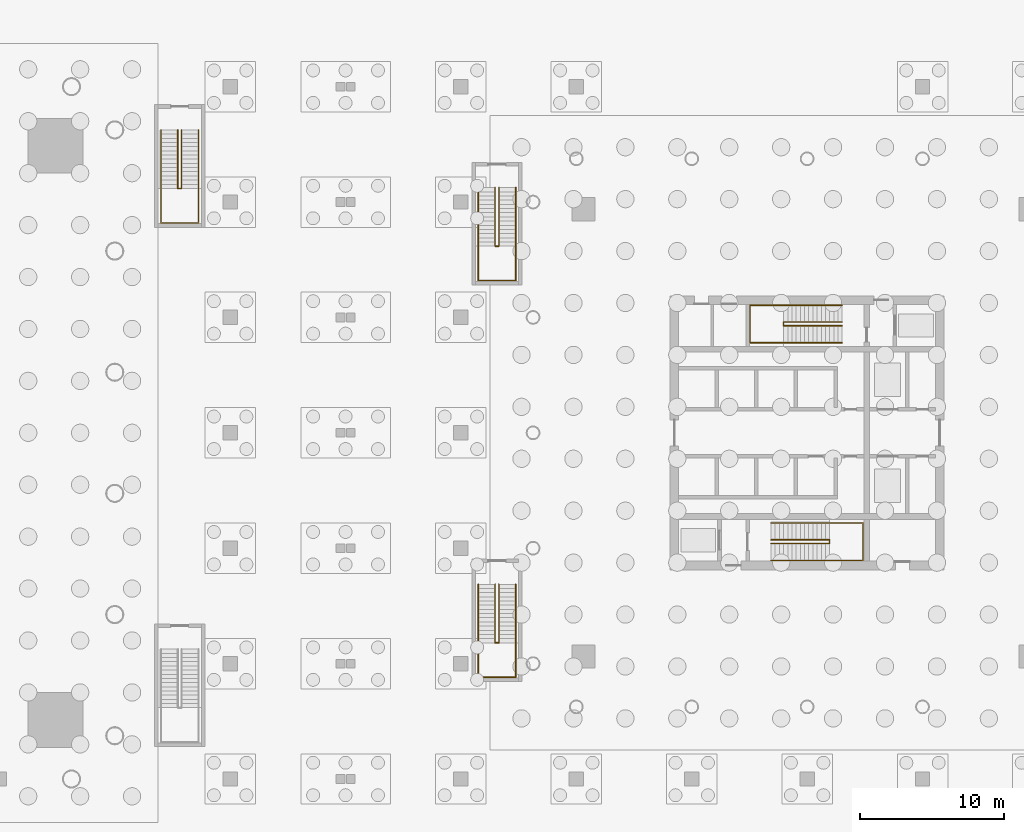
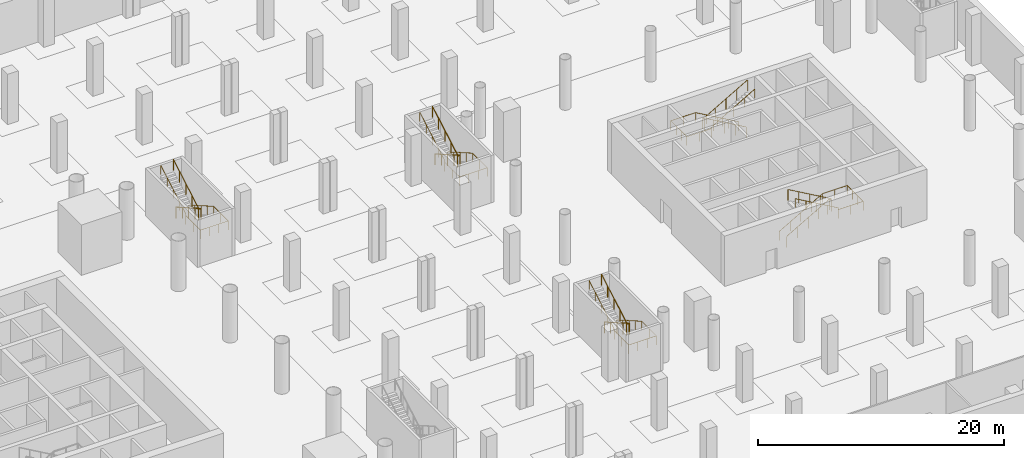
# One storey, part 22 of 24: 10 railings.
"""IFC4 building model written with IfcOpenShell, lengths in metres."""

from ifc_helpers import new_model, si_unit, direction, frame, origin, origin_2d, place, context, subcontext, project, spatial, circle, extrude, material, type_object, element, save


model = new_model("IFC4")

# Units and contexts
model_context = context("Model", 3, precision=1e-05, world=origin(), true_north=direction((0.0, 1.0)))
body_context = subcontext(model_context, "Body", "Model", "MODEL_VIEW")
ifc_project = project(units=[si_unit("LENGTHUNIT", "METRE"), si_unit("AREAUNIT", "SQUARE_METRE"), si_unit("VOLUMEUNIT", "CUBIC_METRE"), si_unit("PLANEANGLEUNIT", "RADIAN"), si_unit("MASSUNIT", "GRAM", prefix="KILO")], contexts=[model_context])

# Site, building, storey
site_placement = place(None, origin())
site = spatial("IfcSite", under=ifc_project, at=site_placement, CompositionType="ELEMENT")
building_placement = place(site_placement, origin())
building = spatial("IfcBuilding", under=site, at=building_placement, Name="Ostroluk Exchange", CompositionType="ELEMENT")
storey_placement = place(building_placement, frame((0.0, 0.0, -10.0)))
storey = spatial("IfcBuildingStorey", under=building, at=storey_placement, Name="B2", CompositionType="ELEMENT", Elevation=-10.0)

# Railings
ifc_material_1 = material(Name="Steel S355", Category="steel")
railing_type_1 = type_object("IfcRailingType", Name="Stair guard 1100", PredefinedType="GUARDRAIL", material=ifc_material_1)
railing_1_placement = place(storey_placement, frame((114.5, 38.580078125, 0.166748046875)))
element("IfcRailing", 1, at=railing_1_placement, inside=storey, type_object=railing_type_1, Name="Stair T2-S1 guard B2", PredefinedType="GUARDRAIL", context=body_context, shape_type="SweptSolid", body=[
    extrude(circle(Radius=0.02392578125, at=origin_2d()), frame((0.0, 0.0, 1.076171875), z_axis=(0.867024558463, 0.0, 0.498265406207), x_axis=(0.0, 1.0, 0.0)), (0.0, 0.0, 1.0), 4.682861328125),
    extrude(circle(Radius=0.02392578125, at=origin_2d()), frame((4.06005859375, 0.0, 3.4091796875), z_axis=(0.0, -1.0, 0.0), x_axis=(1.0, 0.0, 0.0)), (0.0, 0.0, 1.0), 0.260009765625),
    extrude(circle(Radius=0.02392578125, at=origin_2d()), frame((4.06005859375, -0.260009765625, 3.4091796875), z_axis=(0.0, 0.0, 1.0), x_axis=(1.0, 0.0, 0.0)), (0.0, 0.0, 1.0), 0.166748046875),
    extrude(circle(Radius=0.02392578125, at=origin_2d()), frame((4.06005859375, -0.260009765625, 3.576171875), z_axis=(-0.867024558463, 0.0, 0.498265406207), x_axis=(0.0, -1.0, 0.0)), (0.0, 0.0, 1.0), 4.682861328125),
    extrude(circle(Radius=0.02099609375, at=origin_2d()), origin(), (0.0, 0.0, 1.0), 1.052001953125),
    extrude(circle(Radius=0.02099609375, at=origin_2d()), frame((1.01513671875, 0.0, 0.583251953125)), (0.0, 0.0, 1.0), 1.052001953125),
    extrude(circle(Radius=0.02099609375, at=origin_2d()), frame((2.030029296875, 0.0, 1.16650390625)), (0.0, 0.0, 1.0), 1.052001953125),
    extrude(circle(Radius=0.02099609375, at=origin_2d()), frame((3.044921875, 0.0, 1.75)), (0.0, 0.0, 1.0), 1.052001953125),
    extrude(circle(Radius=0.02099609375, at=origin_2d()), frame((4.06005859375, 0.0, 2.333251953125)), (0.0, 0.0, 1.0), 1.052001953125),
    extrude(circle(Radius=0.02099609375, at=origin_2d()), frame((4.06005859375, -0.260009765625, 2.333251953125)), (0.0, 0.0, 1.0), 1.052001953125),
    extrude(circle(Radius=0.02099609375, at=origin_2d()), frame((4.06005859375, -0.260009765625, 2.5)), (0.0, 0.0, 1.0), 1.052001953125),
    extrude(circle(Radius=0.02099609375, at=origin_2d()), frame((3.044921875, -0.260009765625, 3.083251953125)), (0.0, 0.0, 1.0), 1.052001953125),
    extrude(circle(Radius=0.02099609375, at=origin_2d()), frame((2.030029296875, -0.260009765625, 3.66650390625)), (0.0, 0.0, 1.0), 1.052001953125),
    extrude(circle(Radius=0.02099609375, at=origin_2d()), frame((1.01513671875, -0.260009765625, 4.25)), (0.0, 0.0, 1.0), 1.052001953125),
    extrude(circle(Radius=0.02099609375, at=origin_2d()), frame((0.0, -0.260009765625, 4.833251953125)), (0.0, 0.0, 1.0), 1.052001953125),
])
railing_2_placement = place(storey_placement, frame((119.429931640625, 53.679931640625, 0.166748046875)))
element("IfcRailing", 2, at=railing_2_placement, inside=storey, type_object=railing_type_1, Name="Stair T2-S2 guard B2", PredefinedType="GUARDRAIL", context=body_context, shape_type="SweptSolid", body=[
    extrude(circle(Radius=0.02392578125, at=origin_2d()), frame((0.0, 0.0, 1.076171875), z_axis=(-0.86701161382, 0.0, 0.498287930319), x_axis=(0.0, -1.0, 0.0)), (0.0, 0.0, 1.0), 4.6826171875),
    extrude(circle(Radius=0.02392578125, at=origin_2d()), frame((-4.059814453125, 0.0, 3.4091796875), z_axis=(0.0, -1.0, 0.0), x_axis=(1.0, 0.0, 0.0)), (0.0, 0.0, 1.0), 0.260009765625),
    extrude(circle(Radius=0.02392578125, at=origin_2d()), frame((-4.059814453125, -0.260009765625, 3.4091796875), z_axis=(0.0, 0.0, 1.0), x_axis=(1.0, 0.0, 0.0)), (0.0, 0.0, 1.0), 0.166748046875),
    extrude(circle(Radius=0.02392578125, at=origin_2d()), frame((-4.059814453125, -0.260009765625, 3.576171875), z_axis=(0.86701161382, 0.0, 0.498287930319), x_axis=(0.0, 1.0, 0.0)), (0.0, 0.0, 1.0), 4.6826171875),
    extrude(circle(Radius=0.02099609375, at=origin_2d()), origin(), (0.0, 0.0, 1.0), 1.052001953125),
    extrude(circle(Radius=0.02099609375, at=origin_2d()), frame((-1.014892578125, 0.0, 0.583251953125)), (0.0, 0.0, 1.0), 1.052001953125),
    extrude(circle(Radius=0.02099609375, at=origin_2d()), frame((-2.02978515625, 0.0, 1.16650390625)), (0.0, 0.0, 1.0), 1.052001953125),
    extrude(circle(Radius=0.02099609375, at=origin_2d()), frame((-3.044921875, 0.0, 1.75)), (0.0, 0.0, 1.0), 1.052001953125),
    extrude(circle(Radius=0.02099609375, at=origin_2d()), frame((-4.059814453125, 0.0, 2.333251953125)), (0.0, 0.0, 1.0), 1.052001953125),
    extrude(circle(Radius=0.02099609375, at=origin_2d()), frame((-4.059814453125, -0.260009765625, 2.333251953125)), (0.0, 0.0, 1.0), 1.052001953125),
    extrude(circle(Radius=0.02099609375, at=origin_2d()), frame((-4.059814453125, -0.260009765625, 2.5)), (0.0, 0.0, 1.0), 1.052001953125),
    extrude(circle(Radius=0.02099609375, at=origin_2d()), frame((-3.044921875, -0.260009765625, 3.083251953125)), (0.0, 0.0, 1.0), 1.052001953125),
    extrude(circle(Radius=0.02099609375, at=origin_2d()), frame((-2.02978515625, -0.260009765625, 3.66650390625)), (0.0, 0.0, 1.0), 1.052001953125),
    extrude(circle(Radius=0.02099609375, at=origin_2d()), frame((-1.014892578125, -0.260009765625, 4.25)), (0.0, 0.0, 1.0), 1.052001953125),
    extrude(circle(Radius=0.02099609375, at=origin_2d()), frame((0.0, -0.260009765625, 4.833251953125)), (0.0, 0.0, 1.0), 1.052001953125),
])
railing_3_placement = place(storey_placement, frame((73.6298828125, 67.0, 0.166748046875)))
element("IfcRailing", 3, at=railing_3_placement, inside=storey, type_object=railing_type_1, Name="Stair PS4 guard B2", PredefinedType="GUARDRAIL", context=body_context, shape_type="SweptSolid", body=[
    extrude(circle(Radius=0.02392578125, at=origin_2d()), frame((0.0, 0.0, 1.076171875), z_axis=(0.0, -0.867024558463, 0.498265406207), x_axis=(1.0, 0.0, 0.0)), (0.0, 0.0, 1.0), 4.682861328125),
    extrude(circle(Radius=0.02392578125, at=origin_2d()), frame((0.0, -4.06005859375, 3.4091796875), z_axis=(-1.0, 0.0, 0.0), x_axis=(0.0, -1.0, 0.0)), (0.0, 0.0, 1.0), 0.259765625),
    extrude(circle(Radius=0.02392578125, at=origin_2d()), frame((-0.259765625, -4.06005859375, 3.4091796875), z_axis=(0.0, 0.0, 1.0), x_axis=(1.0, 0.0, 0.0)), (0.0, 0.0, 1.0), 0.166748046875),
    extrude(circle(Radius=0.02392578125, at=origin_2d()), frame((-0.259765625, -4.06005859375, 3.576171875), z_axis=(0.0, 0.867024558463, 0.498265406207), x_axis=(-1.0, 0.0, 0.0)), (0.0, 0.0, 1.0), 4.682861328125),
    extrude(circle(Radius=0.02099609375, at=origin_2d()), origin(), (0.0, 0.0, 1.0), 1.052001953125),
    extrude(circle(Radius=0.02099609375, at=origin_2d()), frame((0.0, -1.01513671875, 0.583251953125)), (0.0, 0.0, 1.0), 1.052001953125),
    extrude(circle(Radius=0.02099609375, at=origin_2d()), frame((0.0, -2.030029296875, 1.16650390625)), (0.0, 0.0, 1.0), 1.052001953125),
    extrude(circle(Radius=0.02099609375, at=origin_2d()), frame((0.0, -3.044921875, 1.75)), (0.0, 0.0, 1.0), 1.052001953125),
    extrude(circle(Radius=0.02099609375, at=origin_2d()), frame((0.0, -4.06005859375, 2.333251953125)), (0.0, 0.0, 1.0), 1.052001953125),
    extrude(circle(Radius=0.02099609375, at=origin_2d()), frame((-0.259765625, -4.06005859375, 2.333251953125)), (0.0, 0.0, 1.0), 1.052001953125),
    extrude(circle(Radius=0.02099609375, at=origin_2d()), frame((-0.259765625, -4.06005859375, 2.5)), (0.0, 0.0, 1.0), 1.052001953125),
    extrude(circle(Radius=0.02099609375, at=origin_2d()), frame((-0.259765625, -3.044921875, 3.083251953125)), (0.0, 0.0, 1.0), 1.052001953125),
    extrude(circle(Radius=0.02099609375, at=origin_2d()), frame((-0.259765625, -2.030029296875, 3.66650390625)), (0.0, 0.0, 1.0), 1.052001953125),
    extrude(circle(Radius=0.02099609375, at=origin_2d()), frame((-0.259765625, -1.01513671875, 4.25)), (0.0, 0.0, 1.0), 1.052001953125),
    extrude(circle(Radius=0.02099609375, at=origin_2d()), frame((-0.259765625, 0.0, 4.833251953125)), (0.0, 0.0, 1.0), 1.052001953125),
])
railing_4_placement = place(storey_placement, frame((95.6298828125, 35.5, 0.166748046875)))
element("IfcRailing", 4, at=railing_4_placement, inside=storey, type_object=railing_type_1, Name="Stair PS5 guard B2", PredefinedType="GUARDRAIL", context=body_context, shape_type="SweptSolid", body=[
    extrude(circle(Radius=0.02392578125, at=origin_2d()), frame((0.0, 0.0, 1.076171875), z_axis=(0.0, -0.867024558463, 0.498265406207), x_axis=(1.0, 0.0, 0.0)), (0.0, 0.0, 1.0), 4.682861328125),
    extrude(circle(Radius=0.02392578125, at=origin_2d()), frame((0.0, -4.06005859375, 3.4091796875), z_axis=(-1.0, 0.0, 0.0), x_axis=(0.0, -1.0, 0.0)), (0.0, 0.0, 1.0), 0.259765625),
    extrude(circle(Radius=0.02392578125, at=origin_2d()), frame((-0.259765625, -4.06005859375, 3.4091796875), z_axis=(0.0, 0.0, 1.0), x_axis=(1.0, 0.0, 0.0)), (0.0, 0.0, 1.0), 0.166748046875),
    extrude(circle(Radius=0.02392578125, at=origin_2d()), frame((-0.259765625, -4.06005859375, 3.576171875), z_axis=(0.0, 0.867024558463, 0.498265406207), x_axis=(-1.0, 0.0, 0.0)), (0.0, 0.0, 1.0), 4.682861328125),
    extrude(circle(Radius=0.02099609375, at=origin_2d()), origin(), (0.0, 0.0, 1.0), 1.052001953125),
    extrude(circle(Radius=0.02099609375, at=origin_2d()), frame((0.0, -1.01513671875, 0.583251953125)), (0.0, 0.0, 1.0), 1.052001953125),
    extrude(circle(Radius=0.02099609375, at=origin_2d()), frame((0.0, -2.030029296875, 1.16650390625)), (0.0, 0.0, 1.0), 1.052001953125),
    extrude(circle(Radius=0.02099609375, at=origin_2d()), frame((0.0, -3.044921875, 1.75)), (0.0, 0.0, 1.0), 1.052001953125),
    extrude(circle(Radius=0.02099609375, at=origin_2d()), frame((0.0, -4.06005859375, 2.333251953125)), (0.0, 0.0, 1.0), 1.052001953125),
    extrude(circle(Radius=0.02099609375, at=origin_2d()), frame((-0.259765625, -4.06005859375, 2.333251953125)), (0.0, 0.0, 1.0), 1.052001953125),
    extrude(circle(Radius=0.02099609375, at=origin_2d()), frame((-0.259765625, -4.06005859375, 2.5)), (0.0, 0.0, 1.0), 1.052001953125),
    extrude(circle(Radius=0.02099609375, at=origin_2d()), frame((-0.259765625, -3.044921875, 3.083251953125)), (0.0, 0.0, 1.0), 1.052001953125),
    extrude(circle(Radius=0.02099609375, at=origin_2d()), frame((-0.259765625, -2.030029296875, 3.66650390625)), (0.0, 0.0, 1.0), 1.052001953125),
    extrude(circle(Radius=0.02099609375, at=origin_2d()), frame((-0.259765625, -1.01513671875, 4.25)), (0.0, 0.0, 1.0), 1.052001953125),
    extrude(circle(Radius=0.02099609375, at=origin_2d()), frame((-0.259765625, 0.0, 4.833251953125)), (0.0, 0.0, 1.0), 1.052001953125),
])
railing_5_placement = place(storey_placement, frame((95.6298828125, 63.0, 0.166748046875)))
element("IfcRailing", 5, at=railing_5_placement, inside=storey, type_object=railing_type_1, Name="Stair PS6 guard B2", PredefinedType="GUARDRAIL", context=body_context, shape_type="SweptSolid", body=[
    extrude(circle(Radius=0.02392578125, at=origin_2d()), frame((0.0, 0.0, 1.076171875), z_axis=(0.0, -0.867024558463, 0.498265406207), x_axis=(1.0, 0.0, 0.0)), (0.0, 0.0, 1.0), 4.682861328125),
    extrude(circle(Radius=0.02392578125, at=origin_2d()), frame((0.0, -4.06005859375, 3.4091796875), z_axis=(-1.0, 0.0, 0.0), x_axis=(0.0, -1.0, 0.0)), (0.0, 0.0, 1.0), 0.259765625),
    extrude(circle(Radius=0.02392578125, at=origin_2d()), frame((-0.259765625, -4.06005859375, 3.4091796875), z_axis=(0.0, 0.0, 1.0), x_axis=(1.0, 0.0, 0.0)), (0.0, 0.0, 1.0), 0.166748046875),
    extrude(circle(Radius=0.02392578125, at=origin_2d()), frame((-0.259765625, -4.06005859375, 3.576171875), z_axis=(0.0, 0.867024558463, 0.498265406207), x_axis=(-1.0, 0.0, 0.0)), (0.0, 0.0, 1.0), 4.682861328125),
    extrude(circle(Radius=0.02099609375, at=origin_2d()), origin(), (0.0, 0.0, 1.0), 1.052001953125),
    extrude(circle(Radius=0.02099609375, at=origin_2d()), frame((0.0, -1.01513671875, 0.583251953125)), (0.0, 0.0, 1.0), 1.052001953125),
    extrude(circle(Radius=0.02099609375, at=origin_2d()), frame((0.0, -2.030029296875, 1.16650390625)), (0.0, 0.0, 1.0), 1.052001953125),
    extrude(circle(Radius=0.02099609375, at=origin_2d()), frame((0.0, -3.044921875, 1.75)), (0.0, 0.0, 1.0), 1.052001953125),
    extrude(circle(Radius=0.02099609375, at=origin_2d()), frame((0.0, -4.06005859375, 2.333251953125)), (0.0, 0.0, 1.0), 1.052001953125),
    extrude(circle(Radius=0.02099609375, at=origin_2d()), frame((-0.259765625, -4.06005859375, 2.333251953125)), (0.0, 0.0, 1.0), 1.052001953125),
    extrude(circle(Radius=0.02099609375, at=origin_2d()), frame((-0.259765625, -4.06005859375, 2.5)), (0.0, 0.0, 1.0), 1.052001953125),
    extrude(circle(Radius=0.02099609375, at=origin_2d()), frame((-0.259765625, -3.044921875, 3.083251953125)), (0.0, 0.0, 1.0), 1.052001953125),
    extrude(circle(Radius=0.02099609375, at=origin_2d()), frame((-0.259765625, -2.030029296875, 3.66650390625)), (0.0, 0.0, 1.0), 1.052001953125),
    extrude(circle(Radius=0.02099609375, at=origin_2d()), frame((-0.259765625, -1.01513671875, 4.25)), (0.0, 0.0, 1.0), 1.052001953125),
    extrude(circle(Radius=0.02099609375, at=origin_2d()), frame((-0.259765625, 0.0, 4.833251953125)), (0.0, 0.0, 1.0), 1.052001953125),
])
ifc_material_2 = material(Name="Stainless steel", Category="steel")
railing_type_2 = type_object("IfcRailingType", Name="Stair handrail 900", PredefinedType="HANDRAIL", material=ifc_material_2)
railing_6_placement = place(storey_placement, frame((114.5, 39.75, 0.166748046875)))
element("IfcRailing", 6, at=railing_6_placement, inside=storey, type_object=railing_type_2, Name="Stair T2-S1 handrail B2", PredefinedType="HANDRAIL", context=body_context, shape_type="SweptSolid", body=[
    extrude(circle(Radius=0.02392578125, at=origin_2d()), frame((0.0, 0.0, 0.8759765625), z_axis=(0.867024558463, 0.0, 0.498265406207), x_axis=(0.0, 1.0, 0.0)), (0.0, 0.0, 1.0), 4.682861328125),
    extrude(circle(Radius=0.02392578125, at=origin_2d()), frame((4.06005859375, 0.0, 3.208984375), z_axis=(1.0, 0.0, 0.0), x_axis=(0.0, 1.0, 0.0)), (0.0, 0.0, 1.0), 2.31982421875),
    extrude(circle(Radius=0.02392578125, at=origin_2d()), frame((6.3798828125, 0.0, 3.208984375), z_axis=(0.0, -1.0, 0.0), x_axis=(1.0, 0.0, 0.0)), (0.0, 0.0, 1.0), 2.60009765625),
    extrude(circle(Radius=0.02392578125, at=origin_2d()), frame((6.3798828125, -2.60009765625, 3.208984375), z_axis=(-1.0, 0.0, 0.0), x_axis=(0.0, -1.0, 0.0)), (0.0, 0.0, 1.0), 2.31982421875),
    extrude(circle(Radius=0.02392578125, at=origin_2d()), frame((4.06005859375, -2.60009765625, 3.208984375), z_axis=(0.0, 0.0, 1.0), x_axis=(1.0, 0.0, 0.0)), (0.0, 0.0, 1.0), 0.166748046875),
    extrude(circle(Radius=0.02392578125, at=origin_2d()), frame((4.06005859375, -2.60009765625, 3.3759765625), z_axis=(-0.867024558463, 0.0, 0.498265406207), x_axis=(0.0, -1.0, 0.0)), (0.0, 0.0, 1.0), 4.682861328125),
    extrude(circle(Radius=0.02099609375, at=origin_2d()), origin(), (0.0, 0.0, 1.0), 0.851806640625),
    extrude(circle(Radius=0.02099609375, at=origin_2d()), frame((1.01513671875, 0.0, 0.583251953125)), (0.0, 0.0, 1.0), 0.851806640625),
    extrude(circle(Radius=0.02099609375, at=origin_2d()), frame((2.030029296875, 0.0, 1.16650390625)), (0.0, 0.0, 1.0), 0.851806640625),
    extrude(circle(Radius=0.02099609375, at=origin_2d()), frame((3.044921875, 0.0, 1.75)), (0.0, 0.0, 1.0), 0.851806640625),
    extrude(circle(Radius=0.02099609375, at=origin_2d()), frame((4.06005859375, 0.0, 2.333251953125)), (0.0, 0.0, 1.0), 0.851806640625),
    extrude(circle(Radius=0.02099609375, at=origin_2d()), frame((5.219970703125, 0.0, 2.333251953125)), (0.0, 0.0, 1.0), 0.851806640625),
    extrude(circle(Radius=0.02099609375, at=origin_2d()), frame((6.3798828125, 0.0, 2.333251953125)), (0.0, 0.0, 1.0), 0.851806640625),
    extrude(circle(Radius=0.02099609375, at=origin_2d()), frame((6.3798828125, -0.86669921875, 2.333251953125)), (0.0, 0.0, 1.0), 0.851806640625),
    extrude(circle(Radius=0.02099609375, at=origin_2d()), frame((6.3798828125, -1.7333984375, 2.333251953125)), (0.0, 0.0, 1.0), 0.851806640625),
    extrude(circle(Radius=0.02099609375, at=origin_2d()), frame((6.3798828125, -2.60009765625, 2.333251953125)), (0.0, 0.0, 1.0), 0.851806640625),
    extrude(circle(Radius=0.02099609375, at=origin_2d()), frame((5.219970703125, -2.60009765625, 2.333251953125)), (0.0, 0.0, 1.0), 0.851806640625),
    extrude(circle(Radius=0.02099609375, at=origin_2d()), frame((4.06005859375, -2.60009765625, 2.333251953125)), (0.0, 0.0, 1.0), 0.851806640625),
    extrude(circle(Radius=0.02099609375, at=origin_2d()), frame((4.06005859375, -2.60009765625, 2.5)), (0.0, 0.0, 1.0), 0.851806640625),
    extrude(circle(Radius=0.02099609375, at=origin_2d()), frame((3.044921875, -2.60009765625, 3.083251953125)), (0.0, 0.0, 1.0), 0.851806640625),
    extrude(circle(Radius=0.02099609375, at=origin_2d()), frame((2.030029296875, -2.60009765625, 3.66650390625)), (0.0, 0.0, 1.0), 0.851806640625),
    extrude(circle(Radius=0.02099609375, at=origin_2d()), frame((1.01513671875, -2.60009765625, 4.25)), (0.0, 0.0, 1.0), 0.851806640625),
    extrude(circle(Radius=0.02099609375, at=origin_2d()), frame((0.0, -2.60009765625, 4.833251953125)), (0.0, 0.0, 1.0), 0.851806640625),
])
railing_7_placement = place(storey_placement, frame((119.429931640625, 54.85009765625, 0.166748046875)))
element("IfcRailing", 7, at=railing_7_placement, inside=storey, type_object=railing_type_2, Name="Stair T2-S2 handrail B2", PredefinedType="HANDRAIL", context=body_context, shape_type="SweptSolid", body=[
    extrude(circle(Radius=0.02392578125, at=origin_2d()), frame((0.0, 0.0, 0.8759765625), z_axis=(-0.86701161382, 0.0, 0.498287930319), x_axis=(0.0, -1.0, 0.0)), (0.0, 0.0, 1.0), 4.6826171875),
    extrude(circle(Radius=0.02392578125, at=origin_2d()), frame((-4.059814453125, 0.0, 3.208984375), z_axis=(-1.0, 0.0, 0.0), x_axis=(0.0, -1.0, 0.0)), (0.0, 0.0, 1.0), 2.320068359375),
    extrude(circle(Radius=0.02392578125, at=origin_2d()), frame((-6.3798828125, 0.0, 3.208984375), z_axis=(0.0, -1.0, 0.0), x_axis=(1.0, 0.0, 0.0)), (0.0, 0.0, 1.0), 2.60009765625),
    extrude(circle(Radius=0.02392578125, at=origin_2d()), frame((-6.3798828125, -2.60009765625, 3.208984375), z_axis=(1.0, 0.0, 0.0), x_axis=(0.0, 1.0, 0.0)), (0.0, 0.0, 1.0), 2.320068359375),
    extrude(circle(Radius=0.02392578125, at=origin_2d()), frame((-4.059814453125, -2.60009765625, 3.208984375), z_axis=(0.0, 0.0, 1.0), x_axis=(1.0, 0.0, 0.0)), (0.0, 0.0, 1.0), 0.166748046875),
    extrude(circle(Radius=0.02392578125, at=origin_2d()), frame((-4.059814453125, -2.60009765625, 3.3759765625), z_axis=(0.86701161382, 0.0, 0.498287930319), x_axis=(0.0, 1.0, 0.0)), (0.0, 0.0, 1.0), 4.6826171875),
    extrude(circle(Radius=0.02099609375, at=origin_2d()), origin(), (0.0, 0.0, 1.0), 0.851806640625),
    extrude(circle(Radius=0.02099609375, at=origin_2d()), frame((-1.014892578125, 0.0, 0.583251953125)), (0.0, 0.0, 1.0), 0.851806640625),
    extrude(circle(Radius=0.02099609375, at=origin_2d()), frame((-2.02978515625, 0.0, 1.16650390625)), (0.0, 0.0, 1.0), 0.851806640625),
    extrude(circle(Radius=0.02099609375, at=origin_2d()), frame((-3.044921875, 0.0, 1.75)), (0.0, 0.0, 1.0), 0.851806640625),
    extrude(circle(Radius=0.02099609375, at=origin_2d()), frame((-4.059814453125, 0.0, 2.333251953125)), (0.0, 0.0, 1.0), 0.851806640625),
    extrude(circle(Radius=0.02099609375, at=origin_2d()), frame((-5.2197265625, 0.0, 2.333251953125)), (0.0, 0.0, 1.0), 0.851806640625),
    extrude(circle(Radius=0.02099609375, at=origin_2d()), frame((-6.3798828125, 0.0, 2.333251953125)), (0.0, 0.0, 1.0), 0.851806640625),
    extrude(circle(Radius=0.02099609375, at=origin_2d()), frame((-6.3798828125, -0.86669921875, 2.333251953125)), (0.0, 0.0, 1.0), 0.851806640625),
    extrude(circle(Radius=0.02099609375, at=origin_2d()), frame((-6.3798828125, -1.7333984375, 2.333251953125)), (0.0, 0.0, 1.0), 0.851806640625),
    extrude(circle(Radius=0.02099609375, at=origin_2d()), frame((-6.3798828125, -2.60009765625, 2.333251953125)), (0.0, 0.0, 1.0), 0.851806640625),
    extrude(circle(Radius=0.02099609375, at=origin_2d()), frame((-5.2197265625, -2.60009765625, 2.333251953125)), (0.0, 0.0, 1.0), 0.851806640625),
    extrude(circle(Radius=0.02099609375, at=origin_2d()), frame((-4.059814453125, -2.60009765625, 2.333251953125)), (0.0, 0.0, 1.0), 0.851806640625),
    extrude(circle(Radius=0.02099609375, at=origin_2d()), frame((-4.059814453125, -2.60009765625, 2.5)), (0.0, 0.0, 1.0), 0.851806640625),
    extrude(circle(Radius=0.02099609375, at=origin_2d()), frame((-3.044921875, -2.60009765625, 3.083251953125)), (0.0, 0.0, 1.0), 0.851806640625),
    extrude(circle(Radius=0.02099609375, at=origin_2d()), frame((-2.02978515625, -2.60009765625, 3.66650390625)), (0.0, 0.0, 1.0), 0.851806640625),
    extrude(circle(Radius=0.02099609375, at=origin_2d()), frame((-1.014892578125, -2.60009765625, 4.25)), (0.0, 0.0, 1.0), 0.851806640625),
    extrude(circle(Radius=0.02099609375, at=origin_2d()), frame((0.0, -2.60009765625, 4.833251953125)), (0.0, 0.0, 1.0), 0.851806640625),
])
railing_8_placement = place(storey_placement, frame((74.800048828125, 67.0, 0.166748046875)))
element("IfcRailing", 8, at=railing_8_placement, inside=storey, type_object=railing_type_2, Name="Stair PS4 handrail B2", PredefinedType="HANDRAIL", context=body_context, shape_type="SweptSolid", body=[
    extrude(circle(Radius=0.02392578125, at=origin_2d()), frame((0.0, 0.0, 0.8759765625), z_axis=(0.0, -0.867024558463, 0.498265406207), x_axis=(1.0, 0.0, 0.0)), (0.0, 0.0, 1.0), 4.682861328125),
    extrude(circle(Radius=0.02392578125, at=origin_2d()), frame((0.0, -4.06005859375, 3.208984375), z_axis=(0.0, -1.0, 0.0), x_axis=(1.0, 0.0, 0.0)), (0.0, 0.0, 1.0), 2.389892578125),
    extrude(circle(Radius=0.02392578125, at=origin_2d()), frame((0.0, -6.449951171875, 3.208984375), z_axis=(-1.0, 0.0, 0.0), x_axis=(0.0, -1.0, 0.0)), (0.0, 0.0, 1.0), 2.60009765625),
    extrude(circle(Radius=0.02392578125, at=origin_2d()), frame((-2.60009765625, -6.449951171875, 3.208984375), z_axis=(0.0, 1.0, 0.0), x_axis=(-1.0, 0.0, 0.0)), (0.0, 0.0, 1.0), 2.389892578125),
    extrude(circle(Radius=0.02392578125, at=origin_2d()), frame((-2.60009765625, -4.06005859375, 3.208984375), z_axis=(0.0, 0.0, 1.0), x_axis=(1.0, 0.0, 0.0)), (0.0, 0.0, 1.0), 0.166748046875),
    extrude(circle(Radius=0.02392578125, at=origin_2d()), frame((-2.60009765625, -4.06005859375, 3.3759765625), z_axis=(0.0, 0.867024558463, 0.498265406207), x_axis=(-1.0, 0.0, 0.0)), (0.0, 0.0, 1.0), 4.682861328125),
    extrude(circle(Radius=0.02099609375, at=origin_2d()), origin(), (0.0, 0.0, 1.0), 0.851806640625),
    extrude(circle(Radius=0.02099609375, at=origin_2d()), frame((0.0, -1.01513671875, 0.583251953125)), (0.0, 0.0, 1.0), 0.851806640625),
    extrude(circle(Radius=0.02099609375, at=origin_2d()), frame((0.0, -2.030029296875, 1.16650390625)), (0.0, 0.0, 1.0), 0.851806640625),
    extrude(circle(Radius=0.02099609375, at=origin_2d()), frame((0.0, -3.044921875, 1.75)), (0.0, 0.0, 1.0), 0.851806640625),
    extrude(circle(Radius=0.02099609375, at=origin_2d()), frame((0.0, -4.06005859375, 2.333251953125)), (0.0, 0.0, 1.0), 0.851806640625),
    extrude(circle(Radius=0.02099609375, at=origin_2d()), frame((0.0, -5.2548828125, 2.333251953125)), (0.0, 0.0, 1.0), 0.851806640625),
    extrude(circle(Radius=0.02099609375, at=origin_2d()), frame((0.0, -6.449951171875, 2.333251953125)), (0.0, 0.0, 1.0), 0.851806640625),
    extrude(circle(Radius=0.02099609375, at=origin_2d()), frame((-0.86669921875, -6.449951171875, 2.333251953125)), (0.0, 0.0, 1.0), 0.851806640625),
    extrude(circle(Radius=0.02099609375, at=origin_2d()), frame((-1.7333984375, -6.449951171875, 2.333251953125)), (0.0, 0.0, 1.0), 0.851806640625),
    extrude(circle(Radius=0.02099609375, at=origin_2d()), frame((-2.60009765625, -6.449951171875, 2.333251953125)), (0.0, 0.0, 1.0), 0.851806640625),
    extrude(circle(Radius=0.02099609375, at=origin_2d()), frame((-2.60009765625, -5.2548828125, 2.333251953125)), (0.0, 0.0, 1.0), 0.851806640625),
    extrude(circle(Radius=0.02099609375, at=origin_2d()), frame((-2.60009765625, -4.06005859375, 2.333251953125)), (0.0, 0.0, 1.0), 0.851806640625),
    extrude(circle(Radius=0.02099609375, at=origin_2d()), frame((-2.60009765625, -4.06005859375, 2.5)), (0.0, 0.0, 1.0), 0.851806640625),
    extrude(circle(Radius=0.02099609375, at=origin_2d()), frame((-2.60009765625, -3.044921875, 3.083251953125)), (0.0, 0.0, 1.0), 0.851806640625),
    extrude(circle(Radius=0.02099609375, at=origin_2d()), frame((-2.60009765625, -2.030029296875, 3.66650390625)), (0.0, 0.0, 1.0), 0.851806640625),
    extrude(circle(Radius=0.02099609375, at=origin_2d()), frame((-2.60009765625, -1.01513671875, 4.25)), (0.0, 0.0, 1.0), 0.851806640625),
    extrude(circle(Radius=0.02099609375, at=origin_2d()), frame((-2.60009765625, 0.0, 4.833251953125)), (0.0, 0.0, 1.0), 0.851806640625),
])
railing_9_placement = place(storey_placement, frame((96.800048828125, 35.5, 0.166748046875)))
element("IfcRailing", 9, at=railing_9_placement, inside=storey, type_object=railing_type_2, Name="Stair PS5 handrail B2", PredefinedType="HANDRAIL", context=body_context, shape_type="SweptSolid", body=[
    extrude(circle(Radius=0.02392578125, at=origin_2d()), frame((0.0, 0.0, 0.8759765625), z_axis=(0.0, -0.867024558463, 0.498265406207), x_axis=(1.0, 0.0, 0.0)), (0.0, 0.0, 1.0), 4.682861328125),
    extrude(circle(Radius=0.02392578125, at=origin_2d()), frame((0.0, -4.06005859375, 3.208984375), z_axis=(0.0, -1.0, 0.0), x_axis=(1.0, 0.0, 0.0)), (0.0, 0.0, 1.0), 2.389892578125),
    extrude(circle(Radius=0.02392578125, at=origin_2d()), frame((0.0, -6.449951171875, 3.208984375), z_axis=(-1.0, 0.0, 0.0), x_axis=(0.0, -1.0, 0.0)), (0.0, 0.0, 1.0), 2.60009765625),
    extrude(circle(Radius=0.02392578125, at=origin_2d()), frame((-2.60009765625, -6.449951171875, 3.208984375), z_axis=(0.0, 1.0, 0.0), x_axis=(-1.0, 0.0, 0.0)), (0.0, 0.0, 1.0), 2.389892578125),
    extrude(circle(Radius=0.02392578125, at=origin_2d()), frame((-2.60009765625, -4.06005859375, 3.208984375), z_axis=(0.0, 0.0, 1.0), x_axis=(1.0, 0.0, 0.0)), (0.0, 0.0, 1.0), 0.166748046875),
    extrude(circle(Radius=0.02392578125, at=origin_2d()), frame((-2.60009765625, -4.06005859375, 3.3759765625), z_axis=(0.0, 0.867024558463, 0.498265406207), x_axis=(-1.0, 0.0, 0.0)), (0.0, 0.0, 1.0), 4.682861328125),
    extrude(circle(Radius=0.02099609375, at=origin_2d()), origin(), (0.0, 0.0, 1.0), 0.851806640625),
    extrude(circle(Radius=0.02099609375, at=origin_2d()), frame((0.0, -1.01513671875, 0.583251953125)), (0.0, 0.0, 1.0), 0.851806640625),
    extrude(circle(Radius=0.02099609375, at=origin_2d()), frame((0.0, -2.030029296875, 1.16650390625)), (0.0, 0.0, 1.0), 0.851806640625),
    extrude(circle(Radius=0.02099609375, at=origin_2d()), frame((0.0, -3.044921875, 1.75)), (0.0, 0.0, 1.0), 0.851806640625),
    extrude(circle(Radius=0.02099609375, at=origin_2d()), frame((0.0, -4.06005859375, 2.333251953125)), (0.0, 0.0, 1.0), 0.851806640625),
    extrude(circle(Radius=0.02099609375, at=origin_2d()), frame((0.0, -5.2548828125, 2.333251953125)), (0.0, 0.0, 1.0), 0.851806640625),
    extrude(circle(Radius=0.02099609375, at=origin_2d()), frame((0.0, -6.449951171875, 2.333251953125)), (0.0, 0.0, 1.0), 0.851806640625),
    extrude(circle(Radius=0.02099609375, at=origin_2d()), frame((-0.86669921875, -6.449951171875, 2.333251953125)), (0.0, 0.0, 1.0), 0.851806640625),
    extrude(circle(Radius=0.02099609375, at=origin_2d()), frame((-1.7333984375, -6.449951171875, 2.333251953125)), (0.0, 0.0, 1.0), 0.851806640625),
    extrude(circle(Radius=0.02099609375, at=origin_2d()), frame((-2.60009765625, -6.449951171875, 2.333251953125)), (0.0, 0.0, 1.0), 0.851806640625),
    extrude(circle(Radius=0.02099609375, at=origin_2d()), frame((-2.60009765625, -5.2548828125, 2.333251953125)), (0.0, 0.0, 1.0), 0.851806640625),
    extrude(circle(Radius=0.02099609375, at=origin_2d()), frame((-2.60009765625, -4.06005859375, 2.333251953125)), (0.0, 0.0, 1.0), 0.851806640625),
    extrude(circle(Radius=0.02099609375, at=origin_2d()), frame((-2.60009765625, -4.06005859375, 2.5)), (0.0, 0.0, 1.0), 0.851806640625),
    extrude(circle(Radius=0.02099609375, at=origin_2d()), frame((-2.60009765625, -3.044921875, 3.083251953125)), (0.0, 0.0, 1.0), 0.851806640625),
    extrude(circle(Radius=0.02099609375, at=origin_2d()), frame((-2.60009765625, -2.030029296875, 3.66650390625)), (0.0, 0.0, 1.0), 0.851806640625),
    extrude(circle(Radius=0.02099609375, at=origin_2d()), frame((-2.60009765625, -1.01513671875, 4.25)), (0.0, 0.0, 1.0), 0.851806640625),
    extrude(circle(Radius=0.02099609375, at=origin_2d()), frame((-2.60009765625, 0.0, 4.833251953125)), (0.0, 0.0, 1.0), 0.851806640625),
])
railing_10_placement = place(storey_placement, frame((96.800048828125, 63.0, 0.166748046875)))
element("IfcRailing", 10, at=railing_10_placement, inside=storey, type_object=railing_type_2, Name="Stair PS6 handrail B2", PredefinedType="HANDRAIL", context=body_context, shape_type="SweptSolid", body=[
    extrude(circle(Radius=0.02392578125, at=origin_2d()), frame((0.0, 0.0, 0.8759765625), z_axis=(0.0, -0.867024558463, 0.498265406207), x_axis=(1.0, 0.0, 0.0)), (0.0, 0.0, 1.0), 4.682861328125),
    extrude(circle(Radius=0.02392578125, at=origin_2d()), frame((0.0, -4.06005859375, 3.208984375), z_axis=(0.0, -1.0, 0.0), x_axis=(1.0, 0.0, 0.0)), (0.0, 0.0, 1.0), 2.389892578125),
    extrude(circle(Radius=0.02392578125, at=origin_2d()), frame((0.0, -6.449951171875, 3.208984375), z_axis=(-1.0, 0.0, 0.0), x_axis=(0.0, -1.0, 0.0)), (0.0, 0.0, 1.0), 2.60009765625),
    extrude(circle(Radius=0.02392578125, at=origin_2d()), frame((-2.60009765625, -6.449951171875, 3.208984375), z_axis=(0.0, 1.0, 0.0), x_axis=(-1.0, 0.0, 0.0)), (0.0, 0.0, 1.0), 2.389892578125),
    extrude(circle(Radius=0.02392578125, at=origin_2d()), frame((-2.60009765625, -4.06005859375, 3.208984375), z_axis=(0.0, 0.0, 1.0), x_axis=(1.0, 0.0, 0.0)), (0.0, 0.0, 1.0), 0.166748046875),
    extrude(circle(Radius=0.02392578125, at=origin_2d()), frame((-2.60009765625, -4.06005859375, 3.3759765625), z_axis=(0.0, 0.867024558463, 0.498265406207), x_axis=(-1.0, 0.0, 0.0)), (0.0, 0.0, 1.0), 4.682861328125),
    extrude(circle(Radius=0.02099609375, at=origin_2d()), origin(), (0.0, 0.0, 1.0), 0.851806640625),
    extrude(circle(Radius=0.02099609375, at=origin_2d()), frame((0.0, -1.01513671875, 0.583251953125)), (0.0, 0.0, 1.0), 0.851806640625),
    extrude(circle(Radius=0.02099609375, at=origin_2d()), frame((0.0, -2.030029296875, 1.16650390625)), (0.0, 0.0, 1.0), 0.851806640625),
    extrude(circle(Radius=0.02099609375, at=origin_2d()), frame((0.0, -3.044921875, 1.75)), (0.0, 0.0, 1.0), 0.851806640625),
    extrude(circle(Radius=0.02099609375, at=origin_2d()), frame((0.0, -4.06005859375, 2.333251953125)), (0.0, 0.0, 1.0), 0.851806640625),
    extrude(circle(Radius=0.02099609375, at=origin_2d()), frame((0.0, -5.2548828125, 2.333251953125)), (0.0, 0.0, 1.0), 0.851806640625),
    extrude(circle(Radius=0.02099609375, at=origin_2d()), frame((0.0, -6.449951171875, 2.333251953125)), (0.0, 0.0, 1.0), 0.851806640625),
    extrude(circle(Radius=0.02099609375, at=origin_2d()), frame((-0.86669921875, -6.449951171875, 2.333251953125)), (0.0, 0.0, 1.0), 0.851806640625),
    extrude(circle(Radius=0.02099609375, at=origin_2d()), frame((-1.7333984375, -6.449951171875, 2.333251953125)), (0.0, 0.0, 1.0), 0.851806640625),
    extrude(circle(Radius=0.02099609375, at=origin_2d()), frame((-2.60009765625, -6.449951171875, 2.333251953125)), (0.0, 0.0, 1.0), 0.851806640625),
    extrude(circle(Radius=0.02099609375, at=origin_2d()), frame((-2.60009765625, -5.2548828125, 2.333251953125)), (0.0, 0.0, 1.0), 0.851806640625),
    extrude(circle(Radius=0.02099609375, at=origin_2d()), frame((-2.60009765625, -4.06005859375, 2.333251953125)), (0.0, 0.0, 1.0), 0.851806640625),
    extrude(circle(Radius=0.02099609375, at=origin_2d()), frame((-2.60009765625, -4.06005859375, 2.5)), (0.0, 0.0, 1.0), 0.851806640625),
    extrude(circle(Radius=0.02099609375, at=origin_2d()), frame((-2.60009765625, -3.044921875, 3.083251953125)), (0.0, 0.0, 1.0), 0.851806640625),
    extrude(circle(Radius=0.02099609375, at=origin_2d()), frame((-2.60009765625, -2.030029296875, 3.66650390625)), (0.0, 0.0, 1.0), 0.851806640625),
    extrude(circle(Radius=0.02099609375, at=origin_2d()), frame((-2.60009765625, -1.01513671875, 4.25)), (0.0, 0.0, 1.0), 0.851806640625),
    extrude(circle(Radius=0.02099609375, at=origin_2d()), frame((-2.60009765625, 0.0, 4.833251953125)), (0.0, 0.0, 1.0), 0.851806640625),
])

save(model, "model.ifc")
